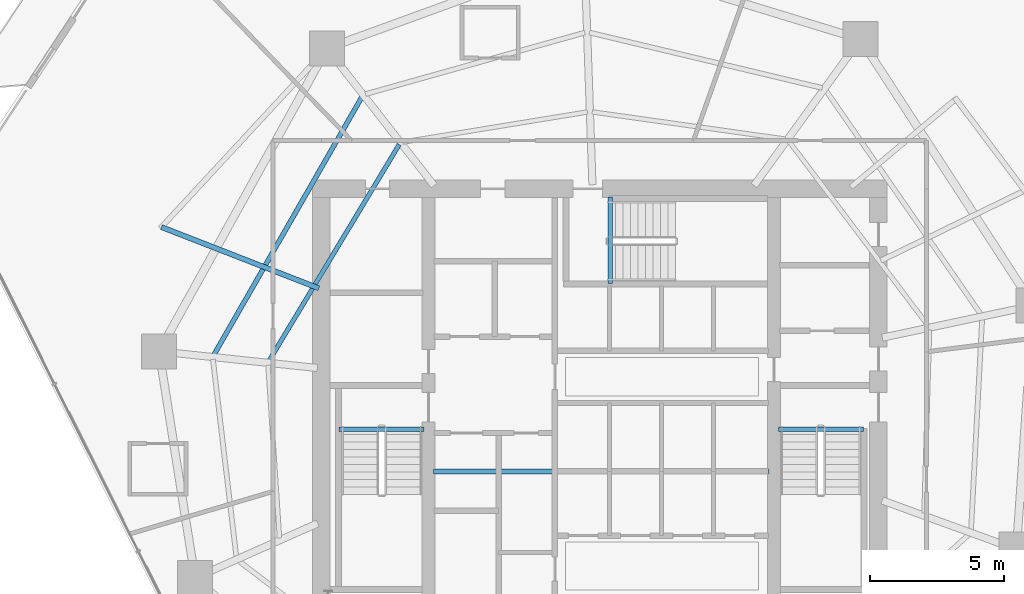
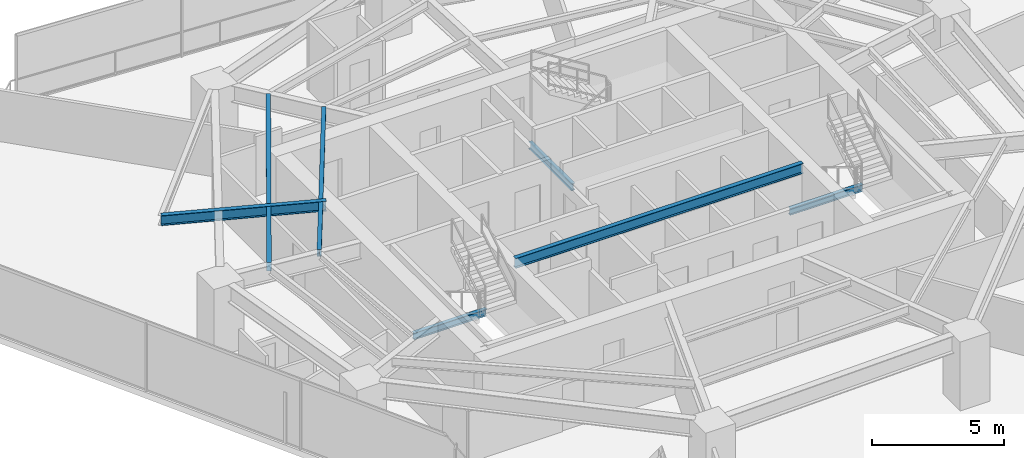
# One storey, part 8 of 28: 7 beams.
"""IFC4 building model written with IfcOpenShell, lengths in metres."""

from ifc_helpers import new_model, si_unit, direction, frame, origin, origin_2d, place, context, subcontext, project, spatial, i_section, extrude, material, material_profile, profile_set, type_object, element, save


model = new_model("IFC4")

# Units and contexts
model_context = context("Model", 3, precision=1e-05, world=origin(), true_north=direction((0.0, 1.0)))
body_context = subcontext(model_context, "Body", "Model", "MODEL_VIEW")
ifc_project = project(units=[si_unit("LENGTHUNIT", "METRE"), si_unit("AREAUNIT", "SQUARE_METRE"), si_unit("VOLUMEUNIT", "CUBIC_METRE"), si_unit("PLANEANGLEUNIT", "RADIAN"), si_unit("MASSUNIT", "GRAM", prefix="KILO")], contexts=[model_context])

# Site, building, storey
site_placement = place(None, origin())
site = spatial("IfcSite", under=ifc_project, at=site_placement, CompositionType="ELEMENT")
building_placement = place(site_placement, origin())
building = spatial("IfcBuilding", under=site, at=building_placement, Name="Qarnah Convention Tower", CompositionType="ELEMENT")
storey_placement = place(building_placement, frame((0.0, 0.0, 54.60009765625)))
storey = spatial("IfcBuildingStorey", under=building, at=storey_placement, Name="L13", CompositionType="ELEMENT", Elevation=54.60009765625)

# Beams
ifc_material = material(Name="Structural steel S355JR", Category="steel")
ifc_material_profile_1 = material_profile(ifc_material, i_section(OverallWidth=0.19189453125, OverallDepth=0.464111328125, WebThickness=0.010986328125, FlangeThickness=0.01806640625, at=origin_2d()), Name="W460X89")
ifc_profile_set_1 = profile_set([ifc_material_profile_1], Name="Structural steel S355JR")
beam_type_1 = type_object("IfcBeamType", Name="BM-CANT-W460A", PredefinedType="BEAM", material=ifc_profile_set_1)
beam_1_placement = place(storey_placement, frame((30.97998046875, 23.64990234375, 2.93798828125), z_axis=(1.0, 0.0, 0.0), x_axis=(0.0, 1.0, 0.0)))
element("IfcBeam", 1, at=beam_1_placement, inside=storey, type_object=beam_type_1, Name="L13 beam BM-L13-KC1", PredefinedType="BEAM", context=body_context, shape_type="SweptSolid", body=[
    extrude(i_section(OverallWidth=0.19189453125, OverallDepth=0.464111328125, WebThickness=0.010986328125, FlangeThickness=0.01806640625, at=origin_2d()), origin(), (0.0, 0.0, 1.0), 12.5400390625),
])
beam_2_placement = place(storey_placement, frame((26.70703125, 30.48388671875, 2.93798828125), z_axis=(-0.931897088326, 0.36272278226, 0.0), x_axis=(-0.36272278226, -0.931897088326, 0.0)))
element("IfcBeam", 2, at=beam_2_placement, inside=storey, type_object=beam_type_1, Name="L13 beam BM-L13-CNT-02-2", PredefinedType="BEAM", context=body_context, shape_type="SweptSolid", body=[
    extrude(i_section(OverallWidth=0.19189453125, OverallDepth=0.464111328125, WebThickness=0.010986328125, FlangeThickness=0.01806640625, at=origin_2d()), origin(), (0.0, 0.0, 1.0), 6.305419921875),
])
ifc_material_profile_2 = material_profile(ifc_material, i_section(OverallWidth=0.166015625, OverallDepth=0.31201171875, WebThickness=0.007080078125, FlangeThickness=0.010986328125, at=origin_2d()), Name="W310X45")
ifc_profile_set_2 = profile_set([ifc_material_profile_2], Name="Structural steel S355JR")
beam_type_2 = type_object("IfcBeamType", Name="BM-JST-W310", PredefinedType="JOIST", material=ifc_profile_set_2)
for number, where, z_axis, x_axis, name in (
    (3, (27.4599609375, 25.217041015625, -0.156005859375), (1.0, 0.0, 0.0), (0.0, 1.0, 0.0), "L13 stair landing trimmer beam BM-L13-ST1-TRM"),
    (4, (43.860107421875, 25.217041015625, -0.156005859375), (1.0, 0.0, 0.0), (0.0, 1.0, 0.0), "L13 stair landing trimmer beam BM-L13-ST2-TRM"),
):
    element("IfcBeam", number, at=place(storey_placement, frame(where, z_axis=z_axis, x_axis=x_axis)), inside=storey, type_object=beam_type_2, Name=name, PredefinedType="BEAM", context=body_context, shape_type="SweptSolid", body=[
        extrude(i_section(OverallWidth=0.166015625, OverallDepth=0.31201171875, WebThickness=0.007080078125, FlangeThickness=0.010986328125, at=origin_2d()), origin(), (0.0, 0.0, 1.0), 3.179931640625),
    ])
beam_3_placement = place(storey_placement, frame((37.5830078125, 30.659912109375, -0.156005859375), z_axis=(0.0, 1.0, 0.0), x_axis=(-1.0, 0.0, 0.0)))
element("IfcBeam", 5, at=beam_3_placement, inside=storey, type_object=beam_type_2, Name="L13 stair landing trimmer beam BM-L13-ST3-TRM", PredefinedType="BEAM", context=body_context, shape_type="SweptSolid", body=[
    extrude(i_section(OverallWidth=0.166015625, OverallDepth=0.31201171875, WebThickness=0.007080078125, FlangeThickness=0.010986328125, at=origin_2d()), origin(), (0.0, 0.0, 1.0), 3.239990234375),
])
beam_4_placement = place(storey_placement, frame((29.708984375, 35.85302734375, 3.013916015625), z_axis=(-0.515919880383, -0.856636840805, 0.0), x_axis=(0.856636840805, -0.515919880383, 0.0)))
element("IfcBeam", 6, at=beam_4_placement, inside=storey, type_object=beam_type_2, Name="L13 joist BM-L13-IJST-04", PredefinedType="JOIST", context=body_context, shape_type="SweptSolid", body=[
    extrude(i_section(OverallWidth=0.166015625, OverallDepth=0.31201171875, WebThickness=0.007080078125, FlangeThickness=0.010986328125, at=origin_2d()), origin(), (0.0, 0.0, 1.0), 9.424072265625),
])
ifc_material_profile_3 = material_profile(ifc_material, i_section(OverallWidth=0.177978515625, OverallDepth=0.407958984375, WebThickness=0.008056640625, FlangeThickness=0.012939453125, at=origin_2d()), Name="W410X60")
ifc_profile_set_3 = profile_set([ifc_material_profile_3], Name="Structural steel S355JR")
beam_type_3 = type_object("IfcBeamType", Name="BM-JST-W410", PredefinedType="JOIST", material=ifc_profile_set_3)
beam_5_placement = place(storey_placement, frame((28.31689453125, 37.634033203125, 2.9658203125), z_axis=(-0.497881902543, -0.867244839201, 0.0), x_axis=(0.867244839201, -0.497881902543, 0.0)))
element("IfcBeam", 7, at=beam_5_placement, inside=storey, type_object=beam_type_3, Name="L13 joist BM-L13-SJST-04", PredefinedType="JOIST", context=body_context, shape_type="SweptSolid", body=[
    extrude(i_section(OverallWidth=0.177978515625, OverallDepth=0.407958984375, WebThickness=0.008056640625, FlangeThickness=0.012939453125, at=origin_2d()), origin(), (0.0, 0.0, 1.0), 11.111083984375),
])

save(model, "model.ifc")
